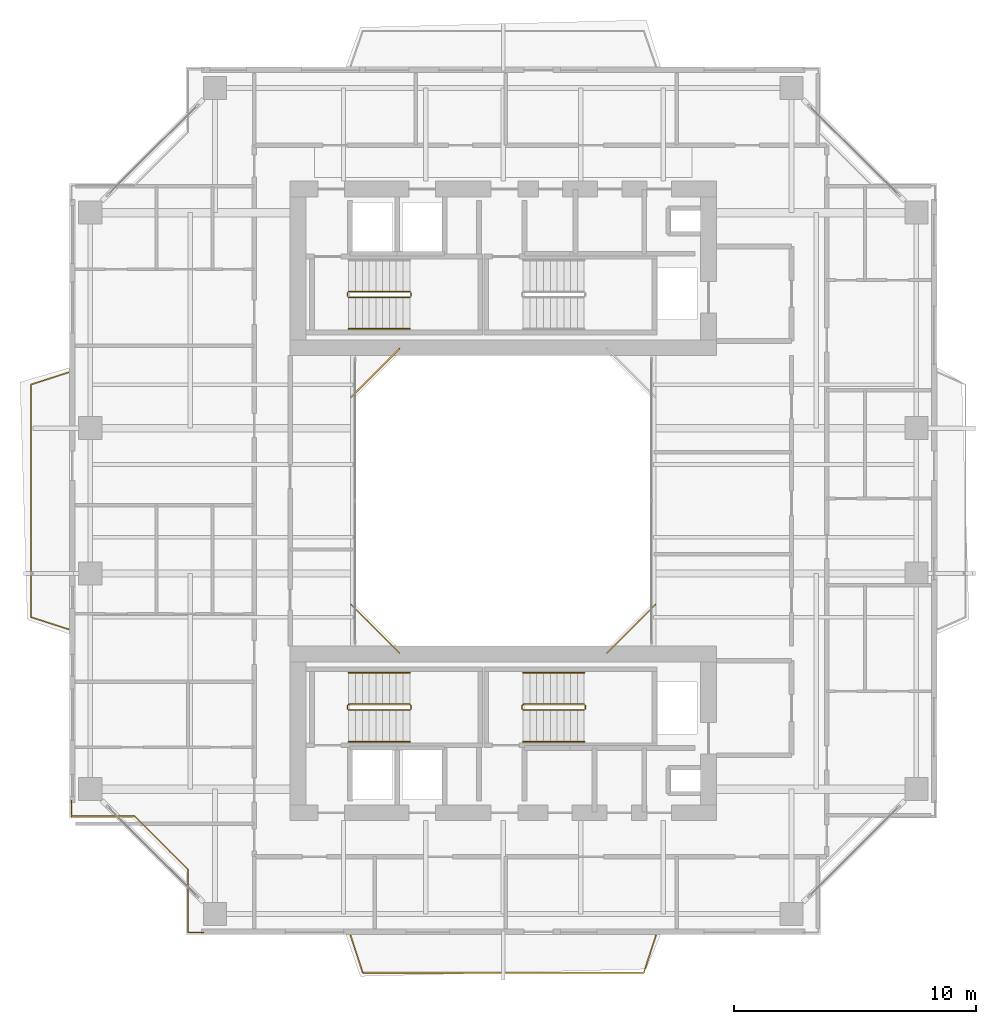
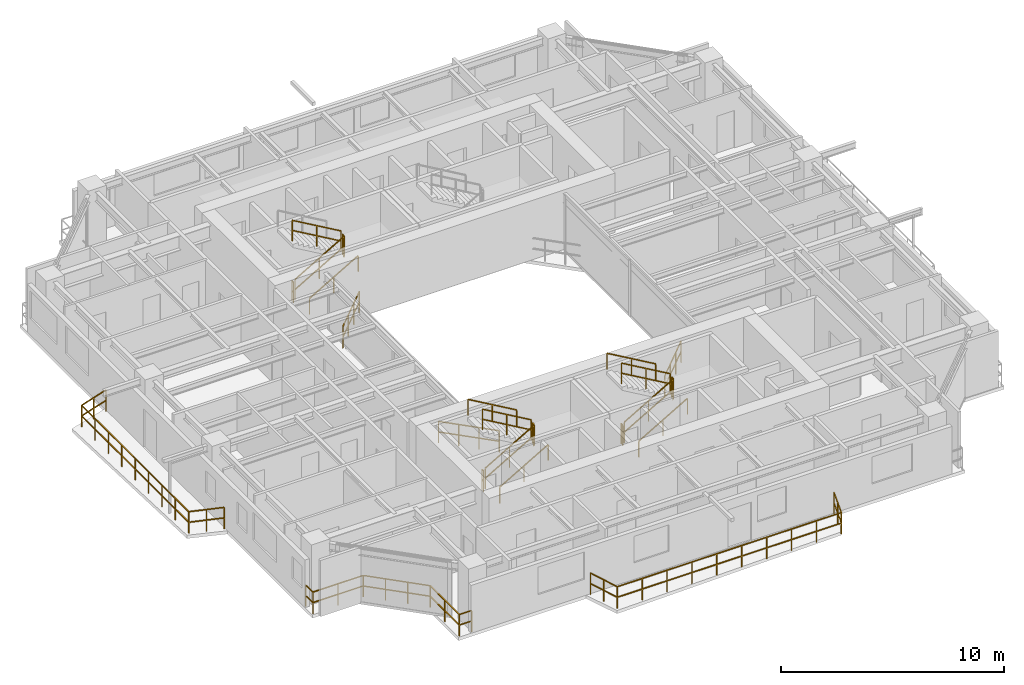
# One storey, part 16 of 18: 23 railings.
"""IFC4 building model written with IfcOpenShell, lengths in metres."""

from ifc_helpers import new_model, si_unit, direction, frame, origin, origin_2d, place, context, subcontext, project, spatial, rectangle, extrude, material, type_object, element, save


model = new_model("IFC4")

# Units and contexts
model_context = context("Model", 3, precision=1e-05, world=origin(), true_north=direction((0.0, 1.0)))
body_context = subcontext(model_context, "Body", "Model", "MODEL_VIEW")
ifc_project = project(units=[si_unit("LENGTHUNIT", "METRE"), si_unit("AREAUNIT", "SQUARE_METRE"), si_unit("VOLUMEUNIT", "CUBIC_METRE"), si_unit("PLANEANGLEUNIT", "RADIAN"), si_unit("MASSUNIT", "GRAM", prefix="KILO"), si_unit("THERMODYNAMICTEMPERATUREUNIT", "KELVIN"), si_unit("POWERUNIT", "WATT")], contexts=[model_context])

# Site, building, storey
site_placement = place(None, origin())
site = spatial("IfcSite", under=ifc_project, at=site_placement, CompositionType="ELEMENT")
building_placement = place(site_placement, origin())
building = spatial("IfcBuilding", under=site, at=building_placement, Name="Qiaomeng Ring Towers", CompositionType="ELEMENT")
storey_placement = place(building_placement, frame((0.0, 0.0, 179.5)))
storey = spatial("IfcBuildingStorey", under=building, at=storey_placement, Name="L52", CompositionType="ELEMENT", Elevation=179.5)

# Railings
ifc_material_1 = material(Name="Low-E pale-green laminated safety glass", Category="glass")
railing_type_1 = type_object("IfcRailingType", Name="ARC-RL-BAL1", PredefinedType="BALUSTRADE", material=ifc_material_1)
railing_1_placement = place(storey_placement, frame((23.280029296875, 16.719970703125, 0.0)))
element("IfcRailing", 1, at=railing_1_placement, inside=storey, type_object=railing_type_1, Name="L52 Balustrade ARC-BAL-WELL1-L52-1", PredefinedType="BALUSTRADE", context=body_context, shape_type="SweptSolid", body=[
    extrude(rectangle(XDim=0.048095703125, YDim=0.048095703125, at=origin_2d()), frame((0.0, 0.0, 1.17578125), z_axis=(0.707106781187, 0.707106781187, 0.0), x_axis=(-0.707106781187, 0.707106781187, 0.0)), (0.0, 0.0, 1.0), 2.828369140625),
    extrude(rectangle(XDim=0.048095703125, YDim=0.048095703125, at=origin_2d()), frame((0.0, 0.0, 0.60009765625), z_axis=(0.707106781187, 0.707106781187, 0.0), x_axis=(-0.707106781187, 0.707106781187, 0.0)), (0.0, 0.0, 1.0), 2.828369140625),
    extrude(rectangle(XDim=0.0419921875, YDim=0.0419921875, at=origin_2d()), origin(), (0.0, 0.0, 1.0), 1.15185546875),
    extrude(rectangle(XDim=0.0419921875, YDim=0.0419921875, at=origin_2d()), frame((0.666748046875, 0.666748046875, 0.0)), (0.0, 0.0, 1.0), 1.15185546875),
    extrude(rectangle(XDim=0.0419921875, YDim=0.0419921875, at=origin_2d()), frame((1.333251953125, 1.333251953125, 0.0)), (0.0, 0.0, 1.0), 1.15185546875),
    extrude(rectangle(XDim=0.0419921875, YDim=0.0419921875, at=origin_2d()), frame((2.0, 2.0, 0.0)), (0.0, 0.0, 1.0), 1.15185546875),
])
railing_2_placement = place(storey_placement, frame((14.719970703125, 29.280029296875, 0.0)))
element("IfcRailing", 2, at=railing_2_placement, inside=storey, type_object=railing_type_1, Name="L52 Balustrade ARC-BAL-WELL1-L52-3", PredefinedType="BALUSTRADE", context=body_context, shape_type="SweptSolid", body=[
    extrude(rectangle(XDim=0.048095703125, YDim=0.048095703125, at=origin_2d()), frame((0.0, 0.0, 1.17578125), z_axis=(-0.707106781187, -0.707106781187, 0.0), x_axis=(0.707106781187, -0.707106781187, 0.0)), (0.0, 0.0, 1.0), 2.828369140625),
    extrude(rectangle(XDim=0.048095703125, YDim=0.048095703125, at=origin_2d()), frame((0.0, 0.0, 0.60009765625), z_axis=(-0.707106781187, -0.707106781187, 0.0), x_axis=(0.707106781187, -0.707106781187, 0.0)), (0.0, 0.0, 1.0), 2.828369140625),
    extrude(rectangle(XDim=0.0419921875, YDim=0.0419921875, at=origin_2d()), origin(), (0.0, 0.0, 1.0), 1.15185546875),
    extrude(rectangle(XDim=0.0419921875, YDim=0.0419921875, at=origin_2d()), frame((-0.666748046875, -0.666748046875, 0.0)), (0.0, 0.0, 1.0), 1.15185546875),
    extrude(rectangle(XDim=0.0419921875, YDim=0.0419921875, at=origin_2d()), frame((-1.333251953125, -1.333251953125, 0.0)), (0.0, 0.0, 1.0), 1.15185546875),
    extrude(rectangle(XDim=0.0419921875, YDim=0.0419921875, at=origin_2d()), frame((-2.0, -2.0, 0.0)), (0.0, 0.0, 1.0), 1.15185546875),
])
railing_3_placement = place(storey_placement, frame((12.719970703125, 18.719970703125, 0.0)))
element("IfcRailing", 3, at=railing_3_placement, inside=storey, type_object=railing_type_1, Name="L52 Balustrade ARC-BAL-WELL1-L52-4", PredefinedType="BALUSTRADE", context=body_context, shape_type="SweptSolid", body=[
    extrude(rectangle(XDim=0.048095703125, YDim=0.048095703125, at=origin_2d()), frame((0.0, 0.0, 1.17578125), z_axis=(0.707106781187, -0.707106781187, 0.0), x_axis=(0.707106781187, 0.707106781187, 0.0)), (0.0, 0.0, 1.0), 2.828369140625),
    extrude(rectangle(XDim=0.048095703125, YDim=0.048095703125, at=origin_2d()), frame((0.0, 0.0, 0.60009765625), z_axis=(0.707106781187, -0.707106781187, 0.0), x_axis=(0.707106781187, 0.707106781187, 0.0)), (0.0, 0.0, 1.0), 2.828369140625),
    extrude(rectangle(XDim=0.0419921875, YDim=0.0419921875, at=origin_2d()), origin(), (0.0, 0.0, 1.0), 1.15185546875),
    extrude(rectangle(XDim=0.0419921875, YDim=0.0419921875, at=origin_2d()), frame((0.666748046875, -0.666748046875, 0.0)), (0.0, 0.0, 1.0), 1.15185546875),
    extrude(rectangle(XDim=0.0419921875, YDim=0.0419921875, at=origin_2d()), frame((1.333251953125, -1.333251953125, 0.0)), (0.0, 0.0, 1.0), 1.15185546875),
    extrude(rectangle(XDim=0.0419921875, YDim=0.0419921875, at=origin_2d()), frame((2.0, -2.0, 0.0)), (0.0, 0.0, 1.0), 1.15185546875),
])
railing_4_placement = place(storey_placement, frame((1.179931640625, 10.6298828125, 0.0)))
element("IfcRailing", 4, at=railing_4_placement, inside=storey, type_object=railing_type_1, Name="L52 Balustrade ARC-BAL-NOTCH1-L52-SW", PredefinedType="BALUSTRADE", context=body_context, shape_type="SweptSolid", body=[
    extrude(rectangle(XDim=0.048095703125, YDim=0.048095703125, at=origin_2d()), frame((0.0, 0.0, 1.17578125), z_axis=(0.0, -1.0, 0.0), x_axis=(1.0, 0.0, 0.0)), (0.0, 0.0, 1.0), 0.64990234375),
    extrude(rectangle(XDim=0.048095703125, YDim=0.048095703125, at=origin_2d()), frame((0.0, 0.0, 0.60009765625), z_axis=(0.0, -1.0, 0.0), x_axis=(1.0, 0.0, 0.0)), (0.0, 0.0, 1.0), 0.64990234375),
    extrude(rectangle(XDim=0.048095703125, YDim=0.048095703125, at=origin_2d()), frame((0.0, -0.64990234375, 1.17578125), z_axis=(1.0, 0.0, 0.0), x_axis=(0.0, 1.0, 0.0)), (0.0, 0.0, 1.0), 2.60009765625),
    extrude(rectangle(XDim=0.048095703125, YDim=0.048095703125, at=origin_2d()), frame((0.0, -0.64990234375, 0.60009765625), z_axis=(1.0, 0.0, 0.0), x_axis=(0.0, 1.0, 0.0)), (0.0, 0.0, 1.0), 2.60009765625),
    extrude(rectangle(XDim=0.048095703125, YDim=0.048095703125, at=origin_2d()), frame((2.60009765625, -0.64990234375, 1.17578125), z_axis=(0.707106781187, -0.707106781187, 0.0), x_axis=(0.707106781187, 0.707106781187, 0.0)), (0.0, 0.0, 1.0), 3.111083984375),
    extrude(rectangle(XDim=0.048095703125, YDim=0.048095703125, at=origin_2d()), frame((2.60009765625, -0.64990234375, 0.60009765625), z_axis=(0.707106781187, -0.707106781187, 0.0), x_axis=(0.707106781187, 0.707106781187, 0.0)), (0.0, 0.0, 1.0), 3.111083984375),
    extrude(rectangle(XDim=0.048095703125, YDim=0.048095703125, at=origin_2d()), frame((4.800048828125, -2.849853515625, 1.17578125), z_axis=(0.0, -1.0, 0.0), x_axis=(1.0, 0.0, 0.0)), (0.0, 0.0, 1.0), 2.60009765625),
    extrude(rectangle(XDim=0.048095703125, YDim=0.048095703125, at=origin_2d()), frame((4.800048828125, -2.849853515625, 0.60009765625), z_axis=(0.0, -1.0, 0.0), x_axis=(1.0, 0.0, 0.0)), (0.0, 0.0, 1.0), 2.60009765625),
    extrude(rectangle(XDim=0.048095703125, YDim=0.048095703125, at=origin_2d()), frame((4.800048828125, -5.449951171875, 1.17578125), z_axis=(1.0, 0.0, 0.0), x_axis=(0.0, 1.0, 0.0)), (0.0, 0.0, 1.0), 0.64990234375),
    extrude(rectangle(XDim=0.048095703125, YDim=0.048095703125, at=origin_2d()), frame((4.800048828125, -5.449951171875, 0.60009765625), z_axis=(1.0, 0.0, 0.0), x_axis=(0.0, 1.0, 0.0)), (0.0, 0.0, 1.0), 0.64990234375),
    extrude(rectangle(XDim=0.0419921875, YDim=0.0419921875, at=origin_2d()), origin(), (0.0, 0.0, 1.0), 1.15185546875),
    extrude(rectangle(XDim=0.0419921875, YDim=0.0419921875, at=origin_2d()), frame((0.0, -0.64990234375, 0.0)), (0.0, 0.0, 1.0), 1.15185546875),
    extrude(rectangle(XDim=0.0419921875, YDim=0.0419921875, at=origin_2d()), frame((1.300048828125, -0.64990234375, 0.0)), (0.0, 0.0, 1.0), 1.15185546875),
    extrude(rectangle(XDim=0.0419921875, YDim=0.0419921875, at=origin_2d()), frame((2.60009765625, -0.64990234375, 0.0)), (0.0, 0.0, 1.0), 1.15185546875),
    extrude(rectangle(XDim=0.0419921875, YDim=0.0419921875, at=origin_2d()), frame((3.33349609375, -1.38330078125, 0.0)), (0.0, 0.0, 1.0), 1.15185546875),
    extrude(rectangle(XDim=0.0419921875, YDim=0.0419921875, at=origin_2d()), frame((4.066650390625, -2.116455078125, 0.0)), (0.0, 0.0, 1.0), 1.15185546875),
    extrude(rectangle(XDim=0.0419921875, YDim=0.0419921875, at=origin_2d()), frame((4.800048828125, -2.849853515625, 0.0)), (0.0, 0.0, 1.0), 1.15185546875),
    extrude(rectangle(XDim=0.0419921875, YDim=0.0419921875, at=origin_2d()), frame((4.800048828125, -4.14990234375, 0.0)), (0.0, 0.0, 1.0), 1.15185546875),
    extrude(rectangle(XDim=0.0419921875, YDim=0.0419921875, at=origin_2d()), frame((4.800048828125, -5.449951171875, 0.0)), (0.0, 0.0, 1.0), 1.15185546875),
    extrude(rectangle(XDim=0.0419921875, YDim=0.0419921875, at=origin_2d()), frame((5.449951171875, -5.449951171875, 0.0)), (0.0, 0.0, 1.0), 1.15185546875),
])
railing_5_placement = place(storey_placement, frame((12.699951171875, 5.050048828125, 0.0)))
element("IfcRailing", 5, at=railing_5_placement, inside=storey, type_object=railing_type_1, Name="L52 Balustrade ARC-BAL-L52-T1-S", PredefinedType="BALUSTRADE", context=body_context, shape_type="SweptSolid", body=[
    extrude(rectangle(XDim=0.048095703125, YDim=0.048095703125, at=origin_2d()), frame((0.0, 0.0, 1.17578125), z_axis=(0.310625543041, -0.950532362421, 0.0), x_axis=(0.950532362421, 0.310625543041, 0.0)), (0.0, 0.0, 1.0), 1.609619140625),
    extrude(rectangle(XDim=0.048095703125, YDim=0.048095703125, at=origin_2d()), frame((0.0, 0.0, 0.60009765625), z_axis=(0.310625543041, -0.950532362421, 0.0), x_axis=(0.950532362421, 0.310625543041, 0.0)), (0.0, 0.0, 1.0), 1.609619140625),
    extrude(rectangle(XDim=0.048095703125, YDim=0.048095703125, at=origin_2d()), frame((0.5, -1.530029296875, 1.17578125), z_axis=(1.0, 0.0, 0.0), x_axis=(0.0, 1.0, 0.0)), (0.0, 0.0, 1.0), 11.60009765625),
    extrude(rectangle(XDim=0.048095703125, YDim=0.048095703125, at=origin_2d()), frame((0.5, -1.530029296875, 0.60009765625), z_axis=(1.0, 0.0, 0.0), x_axis=(0.0, 1.0, 0.0)), (0.0, 0.0, 1.0), 11.60009765625),
    extrude(rectangle(XDim=0.048095703125, YDim=0.048095703125, at=origin_2d()), frame((12.10009765625, -1.530029296875, 1.17578125), z_axis=(0.310625543041, 0.950532362421, 0.0), x_axis=(-0.950532362421, 0.310625543041, 0.0)), (0.0, 0.0, 1.0), 1.609619140625),
    extrude(rectangle(XDim=0.048095703125, YDim=0.048095703125, at=origin_2d()), frame((12.10009765625, -1.530029296875, 0.60009765625), z_axis=(0.310625543041, 0.950532362421, 0.0), x_axis=(-0.950532362421, 0.310625543041, 0.0)), (0.0, 0.0, 1.0), 1.609619140625),
    extrude(rectangle(XDim=0.0419921875, YDim=0.0419921875, at=origin_2d()), origin(), (0.0, 0.0, 1.0), 1.15185546875),
    extrude(rectangle(XDim=0.0419921875, YDim=0.0419921875, at=origin_2d()), frame((0.25, -0.76513671875, 0.0)), (0.0, 0.0, 1.0), 1.15185546875),
    extrude(rectangle(XDim=0.0419921875, YDim=0.0419921875, at=origin_2d()), frame((0.5, -1.530029296875, 0.0)), (0.0, 0.0, 1.0), 1.15185546875),
    extrude(rectangle(XDim=0.0419921875, YDim=0.0419921875, at=origin_2d()), frame((1.788818359375, -1.530029296875, 0.0)), (0.0, 0.0, 1.0), 1.15185546875),
    extrude(rectangle(XDim=0.0419921875, YDim=0.0419921875, at=origin_2d()), frame((3.077880859375, -1.530029296875, 0.0)), (0.0, 0.0, 1.0), 1.15185546875),
    extrude(rectangle(XDim=0.0419921875, YDim=0.0419921875, at=origin_2d()), frame((4.36669921875, -1.530029296875, 0.0)), (0.0, 0.0, 1.0), 1.15185546875),
    extrude(rectangle(XDim=0.0419921875, YDim=0.0419921875, at=origin_2d()), frame((5.655517578125, -1.530029296875, 0.0)), (0.0, 0.0, 1.0), 1.15185546875),
    extrude(rectangle(XDim=0.0419921875, YDim=0.0419921875, at=origin_2d()), frame((6.944580078125, -1.530029296875, 0.0)), (0.0, 0.0, 1.0), 1.15185546875),
    extrude(rectangle(XDim=0.0419921875, YDim=0.0419921875, at=origin_2d()), frame((8.2333984375, -1.530029296875, 0.0)), (0.0, 0.0, 1.0), 1.15185546875),
    extrude(rectangle(XDim=0.0419921875, YDim=0.0419921875, at=origin_2d()), frame((9.522216796875, -1.530029296875, 0.0)), (0.0, 0.0, 1.0), 1.15185546875),
    extrude(rectangle(XDim=0.0419921875, YDim=0.0419921875, at=origin_2d()), frame((10.811279296875, -1.530029296875, 0.0)), (0.0, 0.0, 1.0), 1.15185546875),
    extrude(rectangle(XDim=0.0419921875, YDim=0.0419921875, at=origin_2d()), frame((12.10009765625, -1.530029296875, 0.0)), (0.0, 0.0, 1.0), 1.15185546875),
    extrude(rectangle(XDim=0.0419921875, YDim=0.0419921875, at=origin_2d()), frame((12.35009765625, -0.76513671875, 0.0)), (0.0, 0.0, 1.0), 1.15185546875),
    extrude(rectangle(XDim=0.0419921875, YDim=0.0419921875, at=origin_2d()), frame((12.60009765625, 0.0, 0.0)), (0.0, 0.0, 1.0), 1.15185546875),
])
railing_6_placement = place(storey_placement, frame((1.050048828125, 17.699951171875, 0.0)))
element("IfcRailing", 6, at=railing_6_placement, inside=storey, type_object=railing_type_1, Name="L52 Balustrade ARC-BAL-L52-T1-W", PredefinedType="BALUSTRADE", context=body_context, shape_type="SweptSolid", body=[
    extrude(rectangle(XDim=0.048095703125, YDim=0.048095703125, at=origin_2d()), frame((0.0, 0.0, 1.17578125), z_axis=(-0.951711443346, 0.306994020471, 0.0), x_axis=(-0.306994020471, -0.951711443346, 0.0)), (0.0, 0.0, 1.0), 1.628662109375),
    extrude(rectangle(XDim=0.048095703125, YDim=0.048095703125, at=origin_2d()), frame((0.0, 0.0, 0.60009765625), z_axis=(-0.951711443346, 0.306994020471, 0.0), x_axis=(-0.306994020471, -0.951711443346, 0.0)), (0.0, 0.0, 1.0), 1.628662109375),
    extrude(rectangle(XDim=0.048095703125, YDim=0.048095703125, at=origin_2d()), frame((-1.550048828125, 0.5, 1.17578125), z_axis=(0.0, 1.0, 0.0), x_axis=(-1.0, 0.0, 0.0)), (0.0, 0.0, 1.0), 9.60009765625),
    extrude(rectangle(XDim=0.048095703125, YDim=0.048095703125, at=origin_2d()), frame((-1.550048828125, 0.5, 0.60009765625), z_axis=(0.0, 1.0, 0.0), x_axis=(-1.0, 0.0, 0.0)), (0.0, 0.0, 1.0), 9.60009765625),
    extrude(rectangle(XDim=0.048095703125, YDim=0.048095703125, at=origin_2d()), frame((-1.550048828125, 10.10009765625, 1.17578125), z_axis=(0.951711443346, 0.306994020471, 0.0), x_axis=(-0.306994020471, 0.951711443346, 0.0)), (0.0, 0.0, 1.0), 1.628662109375),
    extrude(rectangle(XDim=0.048095703125, YDim=0.048095703125, at=origin_2d()), frame((-1.550048828125, 10.10009765625, 0.60009765625), z_axis=(0.951711443346, 0.306994020471, 0.0), x_axis=(-0.306994020471, 0.951711443346, 0.0)), (0.0, 0.0, 1.0), 1.628662109375),
    extrude(rectangle(XDim=0.0419921875, YDim=0.0419921875, at=origin_2d()), origin(), (0.0, 0.0, 1.0), 1.15185546875),
    extrude(rectangle(XDim=0.0419921875, YDim=0.0419921875, at=origin_2d()), frame((-0.77490234375, 0.25, 0.0)), (0.0, 0.0, 1.0), 1.15185546875),
    extrude(rectangle(XDim=0.0419921875, YDim=0.0419921875, at=origin_2d()), frame((-1.550048828125, 0.5, 0.0)), (0.0, 0.0, 1.0), 1.15185546875),
    extrude(rectangle(XDim=0.0419921875, YDim=0.0419921875, at=origin_2d()), frame((-1.550048828125, 1.699951171875, 0.0)), (0.0, 0.0, 1.0), 1.15185546875),
    extrude(rectangle(XDim=0.0419921875, YDim=0.0419921875, at=origin_2d()), frame((-1.550048828125, 2.89990234375, 0.0)), (0.0, 0.0, 1.0), 1.15185546875),
    extrude(rectangle(XDim=0.0419921875, YDim=0.0419921875, at=origin_2d()), frame((-1.550048828125, 4.10009765625, 0.0)), (0.0, 0.0, 1.0), 1.15185546875),
    extrude(rectangle(XDim=0.0419921875, YDim=0.0419921875, at=origin_2d()), frame((-1.550048828125, 5.300048828125, 0.0)), (0.0, 0.0, 1.0), 1.15185546875),
    extrude(rectangle(XDim=0.0419921875, YDim=0.0419921875, at=origin_2d()), frame((-1.550048828125, 6.5, 0.0)), (0.0, 0.0, 1.0), 1.15185546875),
    extrude(rectangle(XDim=0.0419921875, YDim=0.0419921875, at=origin_2d()), frame((-1.550048828125, 7.7001953125, 0.0)), (0.0, 0.0, 1.0), 1.15185546875),
    extrude(rectangle(XDim=0.0419921875, YDim=0.0419921875, at=origin_2d()), frame((-1.550048828125, 8.900146484375, 0.0)), (0.0, 0.0, 1.0), 1.15185546875),
    extrude(rectangle(XDim=0.0419921875, YDim=0.0419921875, at=origin_2d()), frame((-1.550048828125, 10.10009765625, 0.0)), (0.0, 0.0, 1.0), 1.15185546875),
    extrude(rectangle(XDim=0.0419921875, YDim=0.0419921875, at=origin_2d()), frame((-0.77490234375, 10.35009765625, 0.0)), (0.0, 0.0, 1.0), 1.15185546875),
    extrude(rectangle(XDim=0.0419921875, YDim=0.0419921875, at=origin_2d()), frame((0.0, 10.60009765625, 0.0)), (0.0, 0.0, 1.0), 1.15185546875),
])
ifc_material_2 = material(Name="Galvanised steel", Category="steel")
railing_type_2 = type_object("IfcRailingType", Name="ARC-RL-GUARD", PredefinedType="GUARDRAIL", material=ifc_material_2)
railing_7_placement = place(storey_placement, frame((12.6201171875, 31.39990234375, 0.16259765625)))
element("IfcRailing", 7, at=railing_7_placement, inside=storey, type_object=railing_type_2, Name="L52 ST1 stair guard 1", PredefinedType="GUARDRAIL", context=body_context, shape_type="SweptSolid", body=[
    extrude(rectangle(XDim=0.048095703125, YDim=0.048095703125, at=origin_2d()), frame((0.0, 0.0, 1.1259765625), z_axis=(0.864892226395, 0.0, 0.501957604506), x_axis=(0.0, 1.0, 0.0)), (0.0, 0.0, 1.0), 2.913330078125),
    extrude(rectangle(XDim=0.048095703125, YDim=0.048095703125, at=origin_2d()), frame((0.0, 0.0, 0.574951171875), z_axis=(0.864892226395, 0.0, 0.501957604506), x_axis=(0.0, 1.0, 0.0)), (0.0, 0.0, 1.0), 2.913330078125),
    extrude(rectangle(XDim=0.0419921875, YDim=0.0419921875, at=origin_2d()), origin(), (0.0, 0.0, 1.0), 1.101806640625),
    extrude(rectangle(XDim=0.0419921875, YDim=0.0419921875, at=origin_2d()), frame((1.259765625, 0.0, 0.731201171875)), (0.0, 0.0, 1.0), 1.101806640625),
    extrude(rectangle(XDim=0.0419921875, YDim=0.0419921875, at=origin_2d()), frame((2.519775390625, 0.0, 1.46240234375)), (0.0, 0.0, 1.0), 1.101806640625),
])
railing_8_placement = place(storey_placement, frame((15.18994140625, 31.449951171875, 1.625)))
element("IfcRailing", 8, at=railing_8_placement, inside=storey, type_object=railing_type_2, Name="L52 ST1 stair guard 2", PredefinedType="GUARDRAIL", context=body_context, shape_type="SweptSolid", body=[
    extrude(rectangle(XDim=0.048095703125, YDim=0.048095703125, at=origin_2d()), frame((0.0, 0.0, 1.1259765625), z_axis=(0.0, 1.0, 0.0), x_axis=(-1.0, 0.0, 0.0)), (0.0, 0.0, 1.0), 0.14013671875),
    extrude(rectangle(XDim=0.048095703125, YDim=0.048095703125, at=origin_2d()), frame((0.0, 0.0, 0.574951171875), z_axis=(0.0, 1.0, 0.0), x_axis=(-1.0, 0.0, 0.0)), (0.0, 0.0, 1.0), 0.14013671875),
    extrude(rectangle(XDim=0.0419921875, YDim=0.0419921875, at=origin_2d()), origin(), (0.0, 0.0, 1.0), 1.101806640625),
    extrude(rectangle(XDim=0.0419921875, YDim=0.0419921875, at=origin_2d()), frame((0.0, 0.14013671875, 0.0)), (0.0, 0.0, 1.0), 1.101806640625),
])
railing_9_placement = place(storey_placement, frame((15.139892578125, 31.639892578125, 1.78759765625)))
element("IfcRailing", 9, at=railing_9_placement, inside=storey, type_object=railing_type_2, Name="L52 ST1 stair guard 3", PredefinedType="GUARDRAIL", context=body_context, shape_type="SweptSolid", body=[
    extrude(rectangle(XDim=0.048095703125, YDim=0.048095703125, at=origin_2d()), frame((0.0, 0.0, 1.1259765625), z_axis=(-0.864892226395, 0.0, 0.501957604506), x_axis=(0.0, -1.0, 0.0)), (0.0, 0.0, 1.0), 2.913330078125),
    extrude(rectangle(XDim=0.048095703125, YDim=0.048095703125, at=origin_2d()), frame((0.0, 0.0, 0.574951171875), z_axis=(-0.864892226395, 0.0, 0.501957604506), x_axis=(0.0, -1.0, 0.0)), (0.0, 0.0, 1.0), 2.913330078125),
    extrude(rectangle(XDim=0.0419921875, YDim=0.0419921875, at=origin_2d()), origin(), (0.0, 0.0, 1.0), 1.101806640625),
    extrude(rectangle(XDim=0.0419921875, YDim=0.0419921875, at=origin_2d()), frame((-1.259765625, 0.0, 0.731201171875)), (0.0, 0.0, 1.0), 1.101806640625),
    extrude(rectangle(XDim=0.0419921875, YDim=0.0419921875, at=origin_2d()), frame((-2.519775390625, 0.0, 1.46240234375)), (0.0, 0.0, 1.0), 1.101806640625),
])
railing_10_placement = place(storey_placement, frame((12.570068359375, 31.449951171875, 0.0)))
element("IfcRailing", 10, at=railing_10_placement, inside=storey, type_object=railing_type_2, Name="L52 ST1 stair guard 4", PredefinedType="GUARDRAIL", context=body_context, shape_type="SweptSolid", body=[
    extrude(rectangle(XDim=0.048095703125, YDim=0.048095703125, at=origin_2d()), frame((0.0, 0.0, 1.1259765625), z_axis=(0.0, 1.0, 0.0), x_axis=(-1.0, 0.0, 0.0)), (0.0, 0.0, 1.0), 0.14013671875),
    extrude(rectangle(XDim=0.048095703125, YDim=0.048095703125, at=origin_2d()), frame((0.0, 0.0, 0.574951171875), z_axis=(0.0, 1.0, 0.0), x_axis=(-1.0, 0.0, 0.0)), (0.0, 0.0, 1.0), 0.14013671875),
    extrude(rectangle(XDim=0.0419921875, YDim=0.0419921875, at=origin_2d()), origin(), (0.0, 0.0, 1.0), 1.101806640625),
    extrude(rectangle(XDim=0.0419921875, YDim=0.0419921875, at=origin_2d()), frame((0.0, 0.14013671875, 0.0)), (0.0, 0.0, 1.0), 1.101806640625),
])
railing_11_placement = place(storey_placement, frame((12.6201171875, 14.360107421875, 0.16259765625)))
element("IfcRailing", 11, at=railing_11_placement, inside=storey, type_object=railing_type_2, Name="L52 ST3 stair guard 1", PredefinedType="GUARDRAIL", context=body_context, shape_type="SweptSolid", body=[
    extrude(rectangle(XDim=0.048095703125, YDim=0.048095703125, at=origin_2d()), frame((0.0, 0.0, 1.1259765625), z_axis=(0.864892226395, 0.0, 0.501957604506), x_axis=(0.0, 1.0, 0.0)), (0.0, 0.0, 1.0), 2.913330078125),
    extrude(rectangle(XDim=0.048095703125, YDim=0.048095703125, at=origin_2d()), frame((0.0, 0.0, 0.574951171875), z_axis=(0.864892226395, 0.0, 0.501957604506), x_axis=(0.0, 1.0, 0.0)), (0.0, 0.0, 1.0), 2.913330078125),
    extrude(rectangle(XDim=0.0419921875, YDim=0.0419921875, at=origin_2d()), origin(), (0.0, 0.0, 1.0), 1.101806640625),
    extrude(rectangle(XDim=0.0419921875, YDim=0.0419921875, at=origin_2d()), frame((1.259765625, 0.0, 0.731201171875)), (0.0, 0.0, 1.0), 1.101806640625),
    extrude(rectangle(XDim=0.0419921875, YDim=0.0419921875, at=origin_2d()), frame((2.519775390625, 0.0, 1.46240234375)), (0.0, 0.0, 1.0), 1.101806640625),
])
railing_12_placement = place(storey_placement, frame((15.18994140625, 14.409912109375, 1.625)))
element("IfcRailing", 12, at=railing_12_placement, inside=storey, type_object=railing_type_2, Name="L52 ST3 stair guard 2", PredefinedType="GUARDRAIL", context=body_context, shape_type="SweptSolid", body=[
    extrude(rectangle(XDim=0.048095703125, YDim=0.048095703125, at=origin_2d()), frame((0.0, 0.0, 1.1259765625), z_axis=(0.0, 1.0, 0.0), x_axis=(-1.0, 0.0, 0.0)), (0.0, 0.0, 1.0), 0.14013671875),
    extrude(rectangle(XDim=0.048095703125, YDim=0.048095703125, at=origin_2d()), frame((0.0, 0.0, 0.574951171875), z_axis=(0.0, 1.0, 0.0), x_axis=(-1.0, 0.0, 0.0)), (0.0, 0.0, 1.0), 0.14013671875),
    extrude(rectangle(XDim=0.0419921875, YDim=0.0419921875, at=origin_2d()), origin(), (0.0, 0.0, 1.0), 1.101806640625),
    extrude(rectangle(XDim=0.0419921875, YDim=0.0419921875, at=origin_2d()), frame((0.0, 0.14013671875, 0.0)), (0.0, 0.0, 1.0), 1.101806640625),
])
railing_13_placement = place(storey_placement, frame((15.139892578125, 14.60009765625, 1.78759765625)))
element("IfcRailing", 13, at=railing_13_placement, inside=storey, type_object=railing_type_2, Name="L52 ST3 stair guard 3", PredefinedType="GUARDRAIL", context=body_context, shape_type="SweptSolid", body=[
    extrude(rectangle(XDim=0.048095703125, YDim=0.048095703125, at=origin_2d()), frame((0.0, 0.0, 1.1259765625), z_axis=(-0.864892226395, 0.0, 0.501957604506), x_axis=(0.0, -1.0, 0.0)), (0.0, 0.0, 1.0), 2.913330078125),
    extrude(rectangle(XDim=0.048095703125, YDim=0.048095703125, at=origin_2d()), frame((0.0, 0.0, 0.574951171875), z_axis=(-0.864892226395, 0.0, 0.501957604506), x_axis=(0.0, -1.0, 0.0)), (0.0, 0.0, 1.0), 2.913330078125),
    extrude(rectangle(XDim=0.0419921875, YDim=0.0419921875, at=origin_2d()), origin(), (0.0, 0.0, 1.0), 1.101806640625),
    extrude(rectangle(XDim=0.0419921875, YDim=0.0419921875, at=origin_2d()), frame((-1.259765625, 0.0, 0.731201171875)), (0.0, 0.0, 1.0), 1.101806640625),
    extrude(rectangle(XDim=0.0419921875, YDim=0.0419921875, at=origin_2d()), frame((-2.519775390625, 0.0, 1.46240234375)), (0.0, 0.0, 1.0), 1.101806640625),
])
railing_14_placement = place(storey_placement, frame((12.570068359375, 14.409912109375, 0.0)))
element("IfcRailing", 14, at=railing_14_placement, inside=storey, type_object=railing_type_2, Name="L52 ST3 stair guard 4", PredefinedType="GUARDRAIL", context=body_context, shape_type="SweptSolid", body=[
    extrude(rectangle(XDim=0.048095703125, YDim=0.048095703125, at=origin_2d()), frame((0.0, 0.0, 1.1259765625), z_axis=(0.0, 1.0, 0.0), x_axis=(-1.0, 0.0, 0.0)), (0.0, 0.0, 1.0), 0.14013671875),
    extrude(rectangle(XDim=0.048095703125, YDim=0.048095703125, at=origin_2d()), frame((0.0, 0.0, 0.574951171875), z_axis=(0.0, 1.0, 0.0), x_axis=(-1.0, 0.0, 0.0)), (0.0, 0.0, 1.0), 0.14013671875),
    extrude(rectangle(XDim=0.0419921875, YDim=0.0419921875, at=origin_2d()), origin(), (0.0, 0.0, 1.0), 1.101806640625),
    extrude(rectangle(XDim=0.0419921875, YDim=0.0419921875, at=origin_2d()), frame((0.0, 0.14013671875, 0.0)), (0.0, 0.0, 1.0), 1.101806640625),
])
railing_15_placement = place(storey_placement, frame((19.820068359375, 14.360107421875, 0.16259765625)))
element("IfcRailing", 15, at=railing_15_placement, inside=storey, type_object=railing_type_2, Name="L52 ST4 stair guard 1", PredefinedType="GUARDRAIL", context=body_context, shape_type="SweptSolid", body=[
    extrude(rectangle(XDim=0.048095703125, YDim=0.048095703125, at=origin_2d()), frame((0.0, 0.0, 1.1259765625), z_axis=(0.864913338283, 0.0, 0.50192122615), x_axis=(0.0, 1.0, 0.0)), (0.0, 0.0, 1.0), 2.91357421875),
    extrude(rectangle(XDim=0.048095703125, YDim=0.048095703125, at=origin_2d()), frame((0.0, 0.0, 0.574951171875), z_axis=(0.864913338283, 0.0, 0.50192122615), x_axis=(0.0, 1.0, 0.0)), (0.0, 0.0, 1.0), 2.91357421875),
    extrude(rectangle(XDim=0.0419921875, YDim=0.0419921875, at=origin_2d()), origin(), (0.0, 0.0, 1.0), 1.101806640625),
    extrude(rectangle(XDim=0.0419921875, YDim=0.0419921875, at=origin_2d()), frame((1.260009765625, 0.0, 0.731201171875)), (0.0, 0.0, 1.0), 1.101806640625),
    extrude(rectangle(XDim=0.0419921875, YDim=0.0419921875, at=origin_2d()), frame((2.52001953125, 0.0, 1.46240234375)), (0.0, 0.0, 1.0), 1.101806640625),
])
railing_16_placement = place(storey_placement, frame((22.389892578125, 14.409912109375, 1.625)))
element("IfcRailing", 16, at=railing_16_placement, inside=storey, type_object=railing_type_2, Name="L52 ST4 stair guard 2", PredefinedType="GUARDRAIL", context=body_context, shape_type="SweptSolid", body=[
    extrude(rectangle(XDim=0.048095703125, YDim=0.048095703125, at=origin_2d()), frame((0.0, 0.0, 1.1259765625), z_axis=(0.0, 1.0, 0.0), x_axis=(-1.0, 0.0, 0.0)), (0.0, 0.0, 1.0), 0.14013671875),
    extrude(rectangle(XDim=0.048095703125, YDim=0.048095703125, at=origin_2d()), frame((0.0, 0.0, 0.574951171875), z_axis=(0.0, 1.0, 0.0), x_axis=(-1.0, 0.0, 0.0)), (0.0, 0.0, 1.0), 0.14013671875),
    extrude(rectangle(XDim=0.0419921875, YDim=0.0419921875, at=origin_2d()), origin(), (0.0, 0.0, 1.0), 1.101806640625),
    extrude(rectangle(XDim=0.0419921875, YDim=0.0419921875, at=origin_2d()), frame((0.0, 0.14013671875, 0.0)), (0.0, 0.0, 1.0), 1.101806640625),
])
railing_17_placement = place(storey_placement, frame((22.340087890625, 14.60009765625, 1.78759765625)))
element("IfcRailing", 17, at=railing_17_placement, inside=storey, type_object=railing_type_2, Name="L52 ST4 stair guard 3", PredefinedType="GUARDRAIL", context=body_context, shape_type="SweptSolid", body=[
    extrude(rectangle(XDim=0.048095703125, YDim=0.048095703125, at=origin_2d()), frame((0.0, 0.0, 1.1259765625), z_axis=(-0.864913338283, 0.0, 0.50192122615), x_axis=(0.0, -1.0, 0.0)), (0.0, 0.0, 1.0), 2.91357421875),
    extrude(rectangle(XDim=0.048095703125, YDim=0.048095703125, at=origin_2d()), frame((0.0, 0.0, 0.574951171875), z_axis=(-0.864913338283, 0.0, 0.50192122615), x_axis=(0.0, -1.0, 0.0)), (0.0, 0.0, 1.0), 2.91357421875),
    extrude(rectangle(XDim=0.0419921875, YDim=0.0419921875, at=origin_2d()), origin(), (0.0, 0.0, 1.0), 1.101806640625),
    extrude(rectangle(XDim=0.0419921875, YDim=0.0419921875, at=origin_2d()), frame((-1.260009765625, 0.0, 0.731201171875)), (0.0, 0.0, 1.0), 1.101806640625),
    extrude(rectangle(XDim=0.0419921875, YDim=0.0419921875, at=origin_2d()), frame((-2.52001953125, 0.0, 1.46240234375)), (0.0, 0.0, 1.0), 1.101806640625),
])
railing_18_placement = place(storey_placement, frame((19.77001953125, 14.409912109375, 0.0)))
element("IfcRailing", 18, at=railing_18_placement, inside=storey, type_object=railing_type_2, Name="L52 ST4 stair guard 4", PredefinedType="GUARDRAIL", context=body_context, shape_type="SweptSolid", body=[
    extrude(rectangle(XDim=0.048095703125, YDim=0.048095703125, at=origin_2d()), frame((0.0, 0.0, 1.1259765625), z_axis=(0.0, 1.0, 0.0), x_axis=(-1.0, 0.0, 0.0)), (0.0, 0.0, 1.0), 0.14013671875),
    extrude(rectangle(XDim=0.048095703125, YDim=0.048095703125, at=origin_2d()), frame((0.0, 0.0, 0.574951171875), z_axis=(0.0, 1.0, 0.0), x_axis=(-1.0, 0.0, 0.0)), (0.0, 0.0, 1.0), 0.14013671875),
    extrude(rectangle(XDim=0.0419921875, YDim=0.0419921875, at=origin_2d()), origin(), (0.0, 0.0, 1.0), 1.101806640625),
    extrude(rectangle(XDim=0.0419921875, YDim=0.0419921875, at=origin_2d()), frame((0.0, 0.14013671875, 0.0)), (0.0, 0.0, 1.0), 1.101806640625),
])
ifc_material_3 = material(Name="Stainless steel 316", Category="steel")
railing_type_3 = type_object("IfcRailingType", Name="ARC-RL-HAND", PredefinedType="HANDRAIL", material=ifc_material_3)
for number, where, name in (
    (19, (12.6201171875, 30.10009765625, 0.16259765625), "L52 ST1 stair handrail 1"),
    (20, (12.6201171875, 13.06005859375, 0.16259765625), "L52 ST3 stair handrail 1"),
):
    element("IfcRailing", number, at=place(storey_placement, frame(where)), inside=storey, type_object=railing_type_3, Name=name, PredefinedType="HANDRAIL", context=body_context, shape_type="SweptSolid", body=[
        extrude(rectangle(XDim=0.048095703125, YDim=0.048095703125, at=origin_2d()), frame((0.0, 0.0, 0.8759765625), z_axis=(0.864892226395, 0.0, 0.501957604506), x_axis=(0.0, 1.0, 0.0)), (0.0, 0.0, 1.0), 2.913330078125),
        extrude(rectangle(XDim=0.0419921875, YDim=0.0419921875, at=origin_2d()), origin(), (0.0, 0.0, 1.0), 0.851806640625),
        extrude(rectangle(XDim=0.0419921875, YDim=0.0419921875, at=origin_2d()), frame((1.259765625, 0.0, 0.731201171875)), (0.0, 0.0, 1.0), 0.851806640625),
        extrude(rectangle(XDim=0.0419921875, YDim=0.0419921875, at=origin_2d()), frame((2.519775390625, 0.0, 1.46240234375)), (0.0, 0.0, 1.0), 0.851806640625),
    ])
railing_19_placement = place(storey_placement, frame((15.139892578125, 15.89990234375, 1.78759765625)))
element("IfcRailing", 21, at=railing_19_placement, inside=storey, type_object=railing_type_3, Name="L52 ST3 stair handrail 2", PredefinedType="HANDRAIL", context=body_context, shape_type="SweptSolid", body=[
    extrude(rectangle(XDim=0.048095703125, YDim=0.048095703125, at=origin_2d()), frame((0.0, 0.0, 0.8759765625), z_axis=(-0.864892226395, 0.0, 0.501957604506), x_axis=(0.0, -1.0, 0.0)), (0.0, 0.0, 1.0), 2.913330078125),
    extrude(rectangle(XDim=0.0419921875, YDim=0.0419921875, at=origin_2d()), origin(), (0.0, 0.0, 1.0), 0.851806640625),
    extrude(rectangle(XDim=0.0419921875, YDim=0.0419921875, at=origin_2d()), frame((-1.259765625, 0.0, 0.731201171875)), (0.0, 0.0, 1.0), 0.851806640625),
    extrude(rectangle(XDim=0.0419921875, YDim=0.0419921875, at=origin_2d()), frame((-2.519775390625, 0.0, 1.46240234375)), (0.0, 0.0, 1.0), 0.851806640625),
])
railing_20_placement = place(storey_placement, frame((19.820068359375, 13.06005859375, 0.16259765625)))
element("IfcRailing", 22, at=railing_20_placement, inside=storey, type_object=railing_type_3, Name="L52 ST4 stair handrail 1", PredefinedType="HANDRAIL", context=body_context, shape_type="SweptSolid", body=[
    extrude(rectangle(XDim=0.048095703125, YDim=0.048095703125, at=origin_2d()), frame((0.0, 0.0, 0.8759765625), z_axis=(0.864913338283, 0.0, 0.50192122615), x_axis=(0.0, 1.0, 0.0)), (0.0, 0.0, 1.0), 2.91357421875),
    extrude(rectangle(XDim=0.0419921875, YDim=0.0419921875, at=origin_2d()), origin(), (0.0, 0.0, 1.0), 0.851806640625),
    extrude(rectangle(XDim=0.0419921875, YDim=0.0419921875, at=origin_2d()), frame((1.260009765625, 0.0, 0.731201171875)), (0.0, 0.0, 1.0), 0.851806640625),
    extrude(rectangle(XDim=0.0419921875, YDim=0.0419921875, at=origin_2d()), frame((2.52001953125, 0.0, 1.46240234375)), (0.0, 0.0, 1.0), 0.851806640625),
])
railing_21_placement = place(storey_placement, frame((22.340087890625, 15.89990234375, 1.78759765625)))
element("IfcRailing", 23, at=railing_21_placement, inside=storey, type_object=railing_type_3, Name="L52 ST4 stair handrail 2", PredefinedType="HANDRAIL", context=body_context, shape_type="SweptSolid", body=[
    extrude(rectangle(XDim=0.048095703125, YDim=0.048095703125, at=origin_2d()), frame((0.0, 0.0, 0.8759765625), z_axis=(-0.864913338283, 0.0, 0.50192122615), x_axis=(0.0, -1.0, 0.0)), (0.0, 0.0, 1.0), 2.91357421875),
    extrude(rectangle(XDim=0.0419921875, YDim=0.0419921875, at=origin_2d()), origin(), (0.0, 0.0, 1.0), 0.851806640625),
    extrude(rectangle(XDim=0.0419921875, YDim=0.0419921875, at=origin_2d()), frame((-1.260009765625, 0.0, 0.731201171875)), (0.0, 0.0, 1.0), 0.851806640625),
    extrude(rectangle(XDim=0.0419921875, YDim=0.0419921875, at=origin_2d()), frame((-2.52001953125, 0.0, 1.46240234375)), (0.0, 0.0, 1.0), 0.851806640625),
])

save(model, "model.ifc")
